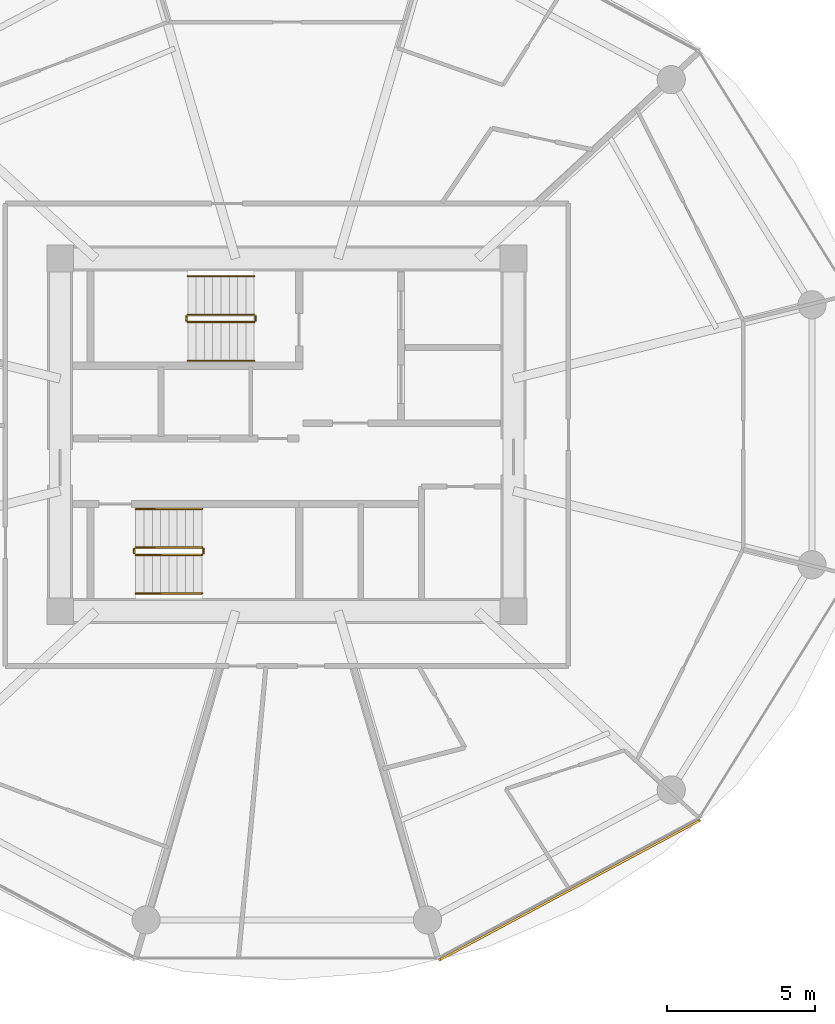
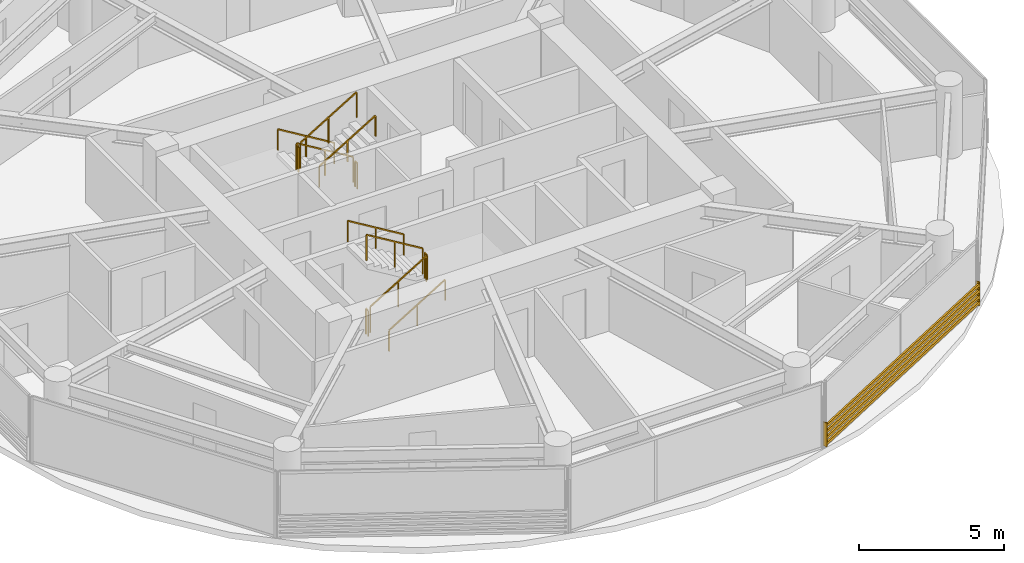
# One storey, part 25 of 26: 12 railings, 1 shading device.
"""IFC4 building model written with IfcOpenShell, lengths in metres."""

from ifc_helpers import new_model, si_unit, direction, frame, origin, origin_2d, place, context, subcontext, project, spatial, rectangle, extrude, source, transform, mapped, material, type_object, type_shapes, element, save


model = new_model("IFC4")

# Units and contexts
model_context = context("Model", 3, precision=1e-05, world=origin(), true_north=direction((0.0, 1.0)))
body_context = subcontext(model_context, "Body", "Model", "MODEL_VIEW")
ifc_project = project(units=[si_unit("LENGTHUNIT", "METRE"), si_unit("AREAUNIT", "SQUARE_METRE"), si_unit("VOLUMEUNIT", "CUBIC_METRE"), si_unit("PLANEANGLEUNIT", "RADIAN"), si_unit("MASSUNIT", "GRAM", prefix="KILO")], contexts=[model_context])

# Site, building, storey
site_placement = place(None, origin())
site = spatial("IfcSite", under=ifc_project, at=site_placement, CompositionType="ELEMENT")
building_placement = place(site_placement, origin())
building = spatial("IfcBuilding", under=site, at=building_placement, Name="Norrkilde Senior Care Towers", CompositionType="ELEMENT")
storey_placement = place(building_placement, frame((0.0, 0.0, 64.300048828125)))
storey = spatial("IfcBuildingStorey", under=building, at=storey_placement, Name="L19", CompositionType="ELEMENT", Elevation=64.300048828125)

# Railings
ifc_material_1 = material(Name="Stainless Steel", Category="steel")
railing_type_1 = type_object("IfcRailingType", Name="Stair and Terrace Guardrail 1100", PredefinedType="GUARDRAIL", material=ifc_material_1)
railing_1_placement = place(storey_placement, frame((26.89990234375, 4.050048828125, 0.16943359375)))
element("IfcRailing", 1, at=railing_1_placement, inside=storey, type_object=railing_type_1, Name="L19 ST-E1 stair guard 1", PredefinedType="GUARDRAIL", context=body_context, shape_type="SweptSolid", body=[
    extrude(rectangle(XDim=0.048095703125, YDim=0.048095703125, at=origin_2d()), frame((0.0, 0.0, 1.076171875), z_axis=(-0.855553338991, 0.0, 0.51771467445), x_axis=(0.0, -1.0, 0.0)), (0.0, 0.0, 1.0), 2.6181640625),
    extrude(rectangle(XDim=0.0419921875, YDim=0.0419921875, at=origin_2d()), origin(), (0.0, 0.0, 1.0), 1.050048828125),
    extrude(rectangle(XDim=0.0419921875, YDim=0.0419921875, at=origin_2d()), frame((-1.1201171875, 0.0, 0.677734375)), (0.0, 0.0, 1.0), 1.050048828125),
    extrude(rectangle(XDim=0.0419921875, YDim=0.0419921875, at=origin_2d()), frame((-2.239990234375, 0.0, 1.35546875)), (0.0, 0.0, 1.0), 1.050048828125),
])
railing_2_placement = place(storey_placement, frame((24.610107421875, 4.0, 1.52490234375)))
element("IfcRailing", 2, at=railing_2_placement, inside=storey, type_object=railing_type_1, Name="L19 ST-E1 stair guard 2", PredefinedType="GUARDRAIL", context=body_context, shape_type="SweptSolid", body=[
    extrude(rectangle(XDim=0.048095703125, YDim=0.048095703125, at=origin_2d()), frame((0.0, 0.0, 1.076171875), z_axis=(0.0, -1.0, 0.0), x_axis=(1.0, 0.0, 0.0)), (0.0, 0.0, 1.0), 0.14990234375),
    extrude(rectangle(XDim=0.0419921875, YDim=0.0419921875, at=origin_2d()), origin(), (0.0, 0.0, 1.0), 1.050048828125),
    extrude(rectangle(XDim=0.0419921875, YDim=0.0419921875, at=origin_2d()), frame((0.0, -0.14990234375, 0.0)), (0.0, 0.0, 1.0), 1.050048828125),
])
railing_3_placement = place(storey_placement, frame((24.659912109375, 3.800048828125, 1.6943359375)))
element("IfcRailing", 3, at=railing_3_placement, inside=storey, type_object=railing_type_1, Name="L19 ST-E1 stair guard 3", PredefinedType="GUARDRAIL", context=body_context, shape_type="SweptSolid", body=[
    extrude(rectangle(XDim=0.048095703125, YDim=0.048095703125, at=origin_2d()), frame((0.0, 0.0, 1.076171875), z_axis=(0.855512035549, 0.0, 0.517782924622), x_axis=(0.0, 1.0, 0.0)), (0.0, 0.0, 1.0), 2.618408203125),
    extrude(rectangle(XDim=0.0419921875, YDim=0.0419921875, at=origin_2d()), origin(), (0.0, 0.0, 1.0), 1.050048828125),
    extrude(rectangle(XDim=0.0419921875, YDim=0.0419921875, at=origin_2d()), frame((1.1201171875, 0.0, 0.677734375)), (0.0, 0.0, 1.0), 1.050048828125),
    extrude(rectangle(XDim=0.0419921875, YDim=0.0419921875, at=origin_2d()), frame((2.239990234375, 0.0, 1.355712890625)), (0.0, 0.0, 1.0), 1.050048828125),
])
railing_4_placement = place(storey_placement, frame((26.949951171875, 4.0, 0.0)))
element("IfcRailing", 4, at=railing_4_placement, inside=storey, type_object=railing_type_1, Name="L19 ST-E1 stair guard 4", PredefinedType="GUARDRAIL", context=body_context, shape_type="SweptSolid", body=[
    extrude(rectangle(XDim=0.048095703125, YDim=0.048095703125, at=origin_2d()), frame((0.0, 0.0, 1.076171875), z_axis=(0.0, -1.0, 0.0), x_axis=(1.0, 0.0, 0.0)), (0.0, 0.0, 1.0), 0.14990234375),
    extrude(rectangle(XDim=0.0419921875, YDim=0.0419921875, at=origin_2d()), origin(), (0.0, 0.0, 1.0), 1.050048828125),
    extrude(rectangle(XDim=0.0419921875, YDim=0.0419921875, at=origin_2d()), frame((0.0, -0.14990234375, 0.0)), (0.0, 0.0, 1.0), 1.050048828125),
])
railing_5_placement = place(storey_placement, frame((22.89990234375, -4.050048828125, 0.16943359375)))
element("IfcRailing", 5, at=railing_5_placement, inside=storey, type_object=railing_type_1, Name="L19 ST-E2 stair guard 1", PredefinedType="GUARDRAIL", context=body_context, shape_type="SweptSolid", body=[
    extrude(rectangle(XDim=0.048095703125, YDim=0.048095703125, at=origin_2d()), frame((0.0, 0.0, 1.076171875), z_axis=(0.855553338991, 0.0, 0.51771467445), x_axis=(0.0, 1.0, 0.0)), (0.0, 0.0, 1.0), 2.6181640625),
    extrude(rectangle(XDim=0.0419921875, YDim=0.0419921875, at=origin_2d()), origin(), (0.0, 0.0, 1.0), 1.050048828125),
    extrude(rectangle(XDim=0.0419921875, YDim=0.0419921875, at=origin_2d()), frame((1.1201171875, 0.0, 0.677734375)), (0.0, 0.0, 1.0), 1.050048828125),
    extrude(rectangle(XDim=0.0419921875, YDim=0.0419921875, at=origin_2d()), frame((2.239990234375, 0.0, 1.35546875)), (0.0, 0.0, 1.0), 1.050048828125),
])
railing_6_placement = place(storey_placement, frame((25.18994140625, -4.0, 1.52490234375)))
element("IfcRailing", 6, at=railing_6_placement, inside=storey, type_object=railing_type_1, Name="L19 ST-E2 stair guard 2", PredefinedType="GUARDRAIL", context=body_context, shape_type="SweptSolid", body=[
    extrude(rectangle(XDim=0.048095703125, YDim=0.048095703125, at=origin_2d()), frame((0.0, 0.0, 1.076171875), z_axis=(0.0, 1.0, 0.0), x_axis=(-1.0, 0.0, 0.0)), (0.0, 0.0, 1.0), 0.14990234375),
    extrude(rectangle(XDim=0.0419921875, YDim=0.0419921875, at=origin_2d()), origin(), (0.0, 0.0, 1.0), 1.050048828125),
    extrude(rectangle(XDim=0.0419921875, YDim=0.0419921875, at=origin_2d()), frame((0.0, 0.14990234375, 0.0)), (0.0, 0.0, 1.0), 1.050048828125),
])
railing_7_placement = place(storey_placement, frame((25.139892578125, -3.800048828125, 1.6943359375)))
element("IfcRailing", 7, at=railing_7_placement, inside=storey, type_object=railing_type_1, Name="L19 ST-E2 stair guard 3", PredefinedType="GUARDRAIL", context=body_context, shape_type="SweptSolid", body=[
    extrude(rectangle(XDim=0.048095703125, YDim=0.048095703125, at=origin_2d()), frame((0.0, 0.0, 1.076171875), z_axis=(-0.855512035549, 0.0, 0.517782924622), x_axis=(0.0, -1.0, 0.0)), (0.0, 0.0, 1.0), 2.618408203125),
    extrude(rectangle(XDim=0.0419921875, YDim=0.0419921875, at=origin_2d()), origin(), (0.0, 0.0, 1.0), 1.050048828125),
    extrude(rectangle(XDim=0.0419921875, YDim=0.0419921875, at=origin_2d()), frame((-1.1201171875, 0.0, 0.677734375)), (0.0, 0.0, 1.0), 1.050048828125),
    extrude(rectangle(XDim=0.0419921875, YDim=0.0419921875, at=origin_2d()), frame((-2.239990234375, 0.0, 1.355712890625)), (0.0, 0.0, 1.0), 1.050048828125),
])
railing_8_placement = place(storey_placement, frame((22.85009765625, -4.0, 0.0)))
element("IfcRailing", 8, at=railing_8_placement, inside=storey, type_object=railing_type_1, Name="L19 ST-E2 stair guard 4", PredefinedType="GUARDRAIL", context=body_context, shape_type="SweptSolid", body=[
    extrude(rectangle(XDim=0.048095703125, YDim=0.048095703125, at=origin_2d()), frame((0.0, 0.0, 1.076171875), z_axis=(0.0, 1.0, 0.0), x_axis=(-1.0, 0.0, 0.0)), (0.0, 0.0, 1.0), 0.14990234375),
    extrude(rectangle(XDim=0.0419921875, YDim=0.0419921875, at=origin_2d()), origin(), (0.0, 0.0, 1.0), 1.050048828125),
    extrude(rectangle(XDim=0.0419921875, YDim=0.0419921875, at=origin_2d()), frame((0.0, 0.14990234375, 0.0)), (0.0, 0.0, 1.0), 1.050048828125),
])
ifc_material_2 = material(Name="Nordic Ash Timber", Category="wood")
railing_type_2 = type_object("IfcRailingType", Name="Wall and Stair Handrail 900", PredefinedType="HANDRAIL", material=ifc_material_2)
railing_9_placement = place(storey_placement, frame((26.89990234375, 5.35009765625, 0.16943359375)))
element("IfcRailing", 9, at=railing_9_placement, inside=storey, type_object=railing_type_2, Name="L19 ST-E1 stair handrail 1", PredefinedType="HANDRAIL", context=body_context, shape_type="SweptSolid", body=[
    extrude(rectangle(XDim=0.048095703125, YDim=0.048095703125, at=origin_2d()), frame((0.0, 0.0, 0.8759765625), z_axis=(-0.855553338991, 0.0, 0.51771467445), x_axis=(0.0, -1.0, 0.0)), (0.0, 0.0, 1.0), 2.6181640625),
    extrude(rectangle(XDim=0.0419921875, YDim=0.0419921875, at=origin_2d()), origin(), (0.0, 0.0, 1.0), 0.849853515625),
    extrude(rectangle(XDim=0.0419921875, YDim=0.0419921875, at=origin_2d()), frame((-1.1201171875, 0.0, 0.677734375)), (0.0, 0.0, 1.0), 0.849853515625),
    extrude(rectangle(XDim=0.0419921875, YDim=0.0419921875, at=origin_2d()), frame((-2.239990234375, 0.0, 1.35546875)), (0.0, 0.0, 1.0), 0.849853515625),
])
railing_10_placement = place(storey_placement, frame((24.659912109375, 2.5, 1.6943359375)))
element("IfcRailing", 10, at=railing_10_placement, inside=storey, type_object=railing_type_2, Name="L19 ST-E1 stair handrail 2", PredefinedType="HANDRAIL", context=body_context, shape_type="SweptSolid", body=[
    extrude(rectangle(XDim=0.048095703125, YDim=0.048095703125, at=origin_2d()), frame((0.0, 0.0, 0.8759765625), z_axis=(0.855512035549, 0.0, 0.517782924622), x_axis=(0.0, 1.0, 0.0)), (0.0, 0.0, 1.0), 2.618408203125),
    extrude(rectangle(XDim=0.0419921875, YDim=0.0419921875, at=origin_2d()), origin(), (0.0, 0.0, 1.0), 0.849853515625),
    extrude(rectangle(XDim=0.0419921875, YDim=0.0419921875, at=origin_2d()), frame((1.1201171875, 0.0, 0.677734375)), (0.0, 0.0, 1.0), 0.849853515625),
    extrude(rectangle(XDim=0.0419921875, YDim=0.0419921875, at=origin_2d()), frame((2.239990234375, 0.0, 1.355712890625)), (0.0, 0.0, 1.0), 0.849853515625),
])
railing_11_placement = place(storey_placement, frame((22.89990234375, -5.35009765625, 0.16943359375)))
element("IfcRailing", 11, at=railing_11_placement, inside=storey, type_object=railing_type_2, Name="L19 ST-E2 stair handrail 1", PredefinedType="HANDRAIL", context=body_context, shape_type="SweptSolid", body=[
    extrude(rectangle(XDim=0.048095703125, YDim=0.048095703125, at=origin_2d()), frame((0.0, 0.0, 0.8759765625), z_axis=(0.855553338991, 0.0, 0.51771467445), x_axis=(0.0, 1.0, 0.0)), (0.0, 0.0, 1.0), 2.6181640625),
    extrude(rectangle(XDim=0.0419921875, YDim=0.0419921875, at=origin_2d()), origin(), (0.0, 0.0, 1.0), 0.849853515625),
    extrude(rectangle(XDim=0.0419921875, YDim=0.0419921875, at=origin_2d()), frame((1.1201171875, 0.0, 0.677734375)), (0.0, 0.0, 1.0), 0.849853515625),
    extrude(rectangle(XDim=0.0419921875, YDim=0.0419921875, at=origin_2d()), frame((2.239990234375, 0.0, 1.35546875)), (0.0, 0.0, 1.0), 0.849853515625),
])
railing_12_placement = place(storey_placement, frame((25.139892578125, -2.5, 1.6943359375)))
element("IfcRailing", 12, at=railing_12_placement, inside=storey, type_object=railing_type_2, Name="L19 ST-E2 stair handrail 2", PredefinedType="HANDRAIL", context=body_context, shape_type="SweptSolid", body=[
    extrude(rectangle(XDim=0.048095703125, YDim=0.048095703125, at=origin_2d()), frame((0.0, 0.0, 0.8759765625), z_axis=(-0.855512035549, 0.0, 0.517782924622), x_axis=(0.0, -1.0, 0.0)), (0.0, 0.0, 1.0), 2.618408203125),
    extrude(rectangle(XDim=0.0419921875, YDim=0.0419921875, at=origin_2d()), origin(), (0.0, 0.0, 1.0), 0.849853515625),
    extrude(rectangle(XDim=0.0419921875, YDim=0.0419921875, at=origin_2d()), frame((-1.1201171875, 0.0, 0.677734375)), (0.0, 0.0, 1.0), 0.849853515625),
    extrude(rectangle(XDim=0.0419921875, YDim=0.0419921875, at=origin_2d()), frame((-2.239990234375, 0.0, 1.355712890625)), (0.0, 0.0, 1.0), 0.849853515625),
])

# Shading device
ifc_material_3 = material(Name="Architectural Terracotta", Category="masonry")
shading_device_type = type_object("IfcShadingDeviceType", Name="Horizontal Terracotta Baguette Rack", PredefinedType="USERDEFINED", material=ifc_material_3)
shared_shape = source(origin(), body_context, "Body", "SweptSolid", [
    extrude(rectangle(XDim=0.070068359375, YDim=0.110107421875, at=origin_2d()), frame((0.0, 0.090087890625, 0.125), z_axis=(1.0, 0.0, 0.0), x_axis=(0.0, 1.0, 0.0)), (0.0, 0.0, 1.0), 10.0107421875),
    extrude(rectangle(XDim=0.070068359375, YDim=0.110107421875, at=origin_2d()), frame((0.0, 0.090087890625, 0.375), z_axis=(1.0, 0.0, 0.0), x_axis=(0.0, 1.0, 0.0)), (0.0, 0.0, 1.0), 10.0107421875),
    extrude(rectangle(XDim=0.070068359375, YDim=0.110107421875, at=origin_2d()), frame((0.0, 0.090087890625, 0.625), z_axis=(1.0, 0.0, 0.0), x_axis=(0.0, 1.0, 0.0)), (0.0, 0.0, 1.0), 10.0107421875),
    extrude(rectangle(XDim=0.070068359375, YDim=0.110107421875, at=origin_2d()), frame((0.0, 0.090087890625, 0.875), z_axis=(1.0, 0.0, 0.0), x_axis=(0.0, 1.0, 0.0)), (0.0, 0.0, 1.0), 10.0107421875),
    extrude(rectangle(XDim=0.050048828125, YDim=0.1552734375, at=origin_2d()), frame((0.02490234375, 0.047607421875, 0.0)), (0.0, 0.0, 1.0), 1.0),
    extrude(rectangle(XDim=0.050048828125, YDim=0.1552734375, at=origin_2d()), frame((9.98583984375, 0.047607421875, 0.0)), (0.0, 0.0, 1.0), 1.0),
])
type_shapes(shading_device_type, [shared_shape])
shading_device_placement = place(storey_placement, frame((41.915771484375, -12.926025390625, 0.079833984375), z_axis=(0.0, 0.0, 1.0), x_axis=(-0.881279875134, -0.472612428056, 0.0)))
element("IfcShadingDevice", 13, at=shading_device_placement, inside=storey, type_object=shading_device_type, Name="L19 Drum E Terracotta Baguette Screen 09", ObjectType="BAGUETTE", PredefinedType="USERDEFINED", context=body_context, shape_type="MappedRepresentation", body=[
    mapped(shared_shape, transform((0.0, 0.0, 0.0), x_axis=(1.0, 0.0, 0.0), y_axis=(0.0, 1.0, 0.0), z_axis=(0.0, 0.0, 1.0), scale=1.0)),
])

save(model, "model.ifc")
